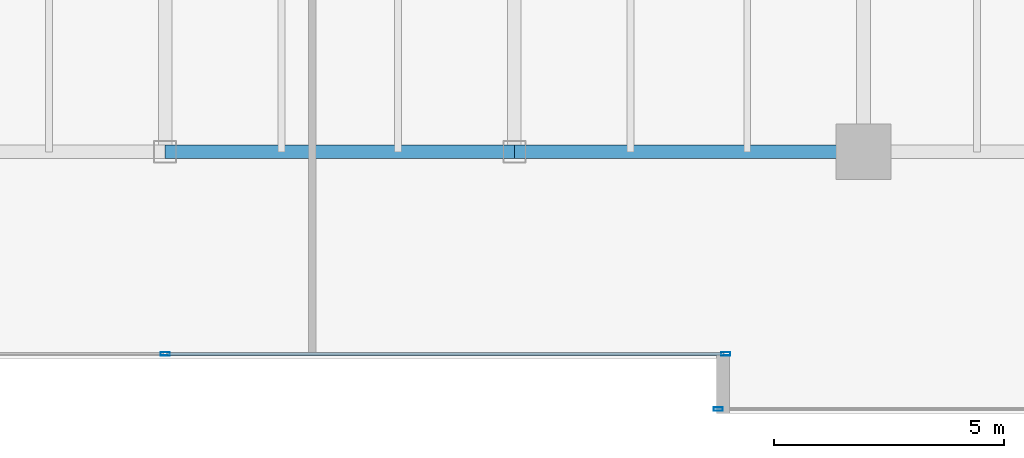
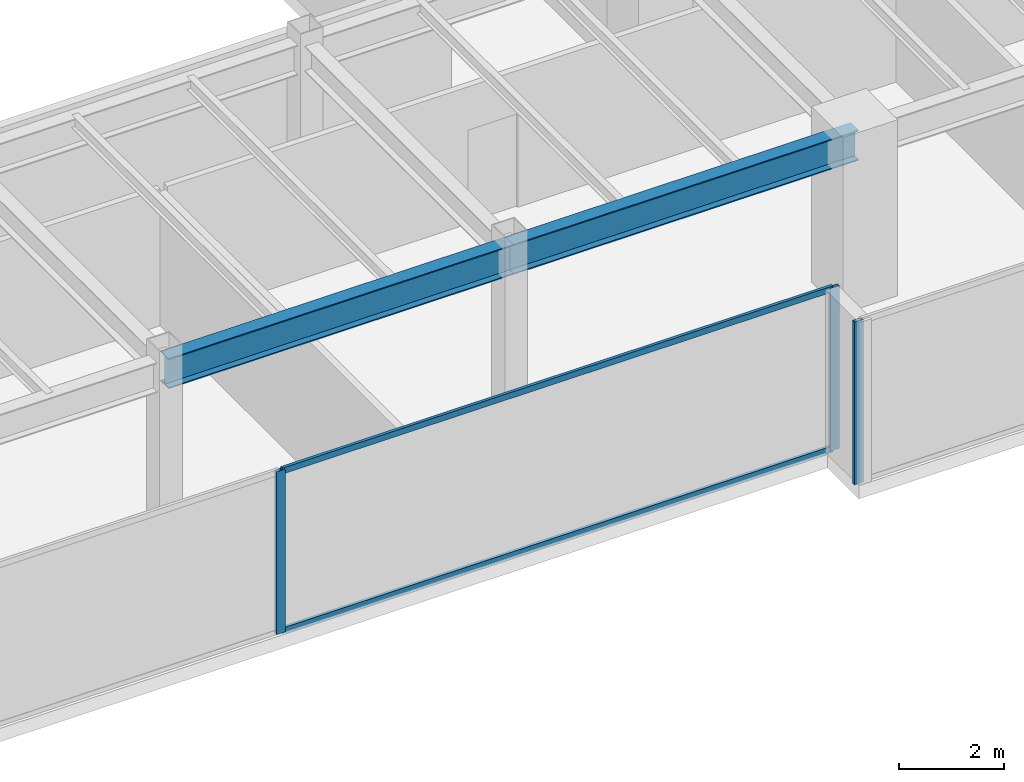
# One storey, part 10 of 30: 5 members, 2 beams, 2 elements without a shape of their own.
"""IFC4 building model written with IfcOpenShell, lengths in metres."""

from ifc_helpers import new_model, si_unit, direction, frame, origin, origin_2d, place, context, subcontext, project, spatial, hollow_rectangle, i_section, extrude, source, transform, mapped, material, layer, layer_set, material_profile, profile_set, type_object, type_shapes, element, aggregate, save


model = new_model("IFC4")

# Units and contexts
model_context = context("Model", 3, precision=1e-05, world=origin(), true_north=direction((0.0, 1.0)))
body_context = subcontext(model_context, "Body", "Model", "MODEL_VIEW")
ifc_project = project(units=[si_unit("LENGTHUNIT", "METRE"), si_unit("AREAUNIT", "SQUARE_METRE"), si_unit("VOLUMEUNIT", "CUBIC_METRE"), si_unit("PLANEANGLEUNIT", "RADIAN"), si_unit("MASSUNIT", "GRAM", prefix="KILO")], contexts=[model_context])

# Site, building, storey
site_placement = place(None, origin())
site = spatial("IfcSite", under=ifc_project, at=site_placement, CompositionType="ELEMENT")
building_placement = place(site_placement, origin())
building = spatial("IfcBuilding", under=site, at=building_placement, Name="Haelvirn Gate Laboratories", CompositionType="ELEMENT")
storey_placement = place(building_placement, frame((0.0, 0.0, 170.699951171875)))
storey = spatial("IfcBuildingStorey", under=building, at=storey_placement, Name="L41", CompositionType="ELEMENT", Elevation=170.699951171875)

# Beams
ifc_material_1 = material(Name="Steel SM355", Category="steel")
ifc_material_profile_1 = material_profile(ifc_material_1, i_section(OverallWidth=0.300048828125, OverallDepth=0.699951171875, WebThickness=0.012939453125, FlangeThickness=0.02392578125, at=origin_2d()), Name="H-700x300x13x24")
ifc_profile_set_1 = profile_set([ifc_material_profile_1], Name="Steel SM355")
beam_type = type_object("IfcBeamType", Name="BM-G-700", PredefinedType="BEAM", material=ifc_profile_set_1)
shared_shape_1 = source(origin(), body_context, "Body", "SweptSolid", [
    extrude(i_section(OverallWidth=0.300048828125, OverallDepth=0.699951171875, WebThickness=0.012939453125, FlangeThickness=0.02392578125, at=origin_2d()), origin(), (0.0, 0.0, 1.0), 7.60009765625),
])
type_shapes(beam_type, [shared_shape_1])
for number, where, z_axis, x_axis, name in (
    (1, (37.39990234375, 7.0, 3.43994140625), (1.0, 0.0, 0.0), (0.0, 1.0, 0.0), "L41 Primary Girder Y7.0 (37.4-45.0)"),
    (2, (45.0, 7.0, 3.43994140625), (1.0, 0.0, 0.0), (0.0, 1.0, 0.0), "L41 Primary Girder Y7.0 (45.0-52.6)"),
):
    element("IfcBeam", number, at=place(storey_placement, frame(where, z_axis=z_axis, x_axis=x_axis)), inside=storey, type_object=beam_type, Name=name, PredefinedType="BEAM", context=body_context, shape_type="MappedRepresentation", body=[
        mapped(shared_shape_1, transform((0.0, 0.0, 0.0), scale=1.0)),
    ])

# Curtain wall, members
ifc_material_2 = material(Name="Anodised bronze unitised aluminium & triple low-E glass", Category="aluminium")
ifc_layer = layer(ifc_material_2, 0.179931640625, Name="CW-SYS-3")
ifc_layer_set = layer_set([ifc_layer], Name="Anodised bronze unitised aluminium & triple low-E glass")
curtain_wall_type = type_object("IfcCurtainWallType", Name="CW-SYS-3", PredefinedType="NOTDEFINED", material=ifc_layer_set)
curtain_wall_1_placement = place(storey_placement, origin())
curtain_wall_1 = element("IfcCurtainWall", 3, at=curtain_wall_1_placement, inside=storey, type_object=curtain_wall_type, Name="L41 Unitised Curtain Wall CW-L41-P0-E02-1", PredefinedType="NOTDEFINED")
ifc_material_3 = material(Name="Extruded aluminium 6063-T6 (anodised bronze)", Category="aluminium")
ifc_material_profile_2 = material_profile(ifc_material_3, hollow_rectangle(XDim=0.06494140625, YDim=0.139892578125, WallThickness=0.00390625, at=origin_2d()), Name="CWT-140x65x4")
ifc_profile_set_2 = profile_set([ifc_material_profile_2], Name="Extruded aluminium 6063-T6 (anodised bronze)")
member_type_1 = type_object("IfcMemberType", Name="CWT-T140", PredefinedType="USERDEFINED", material=ifc_profile_set_2)
shared_shape_2 = source(origin(), body_context, "Body", "SweptSolid", [
    extrude(hollow_rectangle(XDim=0.06494140625, YDim=0.139892578125, WallThickness=0.00390625, at=origin_2d()), origin(), (0.0, 0.0, 1.0), 12.12744140625),
])
type_shapes(member_type_1, [shared_shape_2])
member_1_placement = place(storey_placement, frame((37.4375, 2.60009765625, 0.032470703125), z_axis=(1.0, 0.0, 0.0), x_axis=(0.0, 1.0, 0.0)))
member_1 = element("IfcMember", 4, at=member_1_placement, type_object=member_type_1, Name="CW3 transom 2.1", ObjectType="TRANSOM", PredefinedType="USERDEFINED", context=body_context, shape_type="MappedRepresentation", body=[
    mapped(shared_shape_2, transform((0.0, 0.0, 0.0), scale=1.0)),
])
member_2_placement = place(storey_placement, frame((37.4375, 2.60009765625, 3.757568359375), z_axis=(1.0, 0.0, 0.0), x_axis=(0.0, 1.0, 0.0)))
member_2 = element("IfcMember", 5, at=member_2_placement, type_object=member_type_1, Name="CW3 transom 2.2", ObjectType="TRANSOM", PredefinedType="USERDEFINED", context=body_context, shape_type="MappedRepresentation", body=[
    mapped(shared_shape_2, transform((0.0, 0.0, 0.0), scale=1.0)),
])
ifc_material_profile_3 = material_profile(ifc_material_3, hollow_rectangle(XDim=0.074951171875, YDim=0.199951171875, WallThickness=0.0048828125, at=origin_2d()), Name="CWM-200x75x5")
ifc_profile_set_3 = profile_set([ifc_material_profile_3], Name="Extruded aluminium 6063-T6 (anodised bronze)")
member_type_2 = type_object("IfcMemberType", Name="CWM-T200", PredefinedType="MULLION", material=ifc_profile_set_3)
shared_shape_3 = source(origin(), body_context, "Body", "SweptSolid", [
    extrude(hollow_rectangle(XDim=0.074951171875, YDim=0.199951171875, WallThickness=0.0048828125, at=origin_2d()), origin(), (0.0, 0.0, 1.0), 3.7900390625),
])
type_shapes(member_type_2, [shared_shape_3])
member_3_placement = place(storey_placement, frame((37.39990234375, 2.60009765625, 0.0), z_axis=(0.0, 0.0, 1.0), x_axis=(0.0, 1.0, 0.0)))
member_3 = element("IfcMember", 6, at=member_3_placement, type_object=member_type_2, Name="CW3 mullion 2", PredefinedType="MULLION", context=body_context, shape_type="MappedRepresentation", body=[
    mapped(shared_shape_3, transform((0.0, 0.0, 0.0), scale=1.0)),
])
member_4_placement = place(storey_placement, frame((49.6025390625, 2.60009765625, 0.0), z_axis=(0.0, 0.0, 1.0), x_axis=(0.0, 1.0, 0.0)))
member_4 = element("IfcMember", 7, at=member_4_placement, type_object=member_type_2, Name="CW3 mullion 3", PredefinedType="MULLION", context=body_context, shape_type="MappedRepresentation", body=[
    mapped(shared_shape_3, transform((0.0, 0.0, 0.0), scale=1.0)),
])
aggregate(curtain_wall_1, [member_3, member_4, member_1, member_2])

# Curtain wall, member
curtain_wall_2_placement = place(storey_placement, origin())
curtain_wall_2 = element("IfcCurtainWall", 8, at=curtain_wall_2_placement, inside=storey, type_object=curtain_wall_type, Name="L41 Unitised Curtain Wall CW-L41-P0-E04-1", PredefinedType="NOTDEFINED")
member_5_placement = place(storey_placement, frame((49.4375, 1.39990234375, 0.0), z_axis=(0.0, 0.0, 1.0), x_axis=(0.0, 1.0, 0.0)))
member_5 = element("IfcMember", 9, at=member_5_placement, type_object=member_type_2, Name="CW3 mullion 1", PredefinedType="MULLION", context=body_context, shape_type="MappedRepresentation", body=[
    mapped(shared_shape_3, transform((0.0, 0.0, 0.0), scale=1.0)),
])
aggregate(curtain_wall_2, [member_5])

save(model, "model.ifc")
